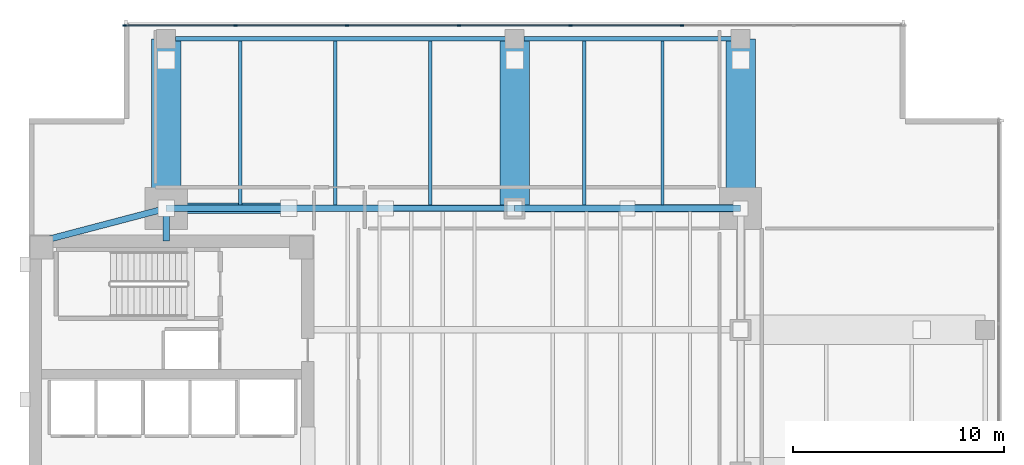
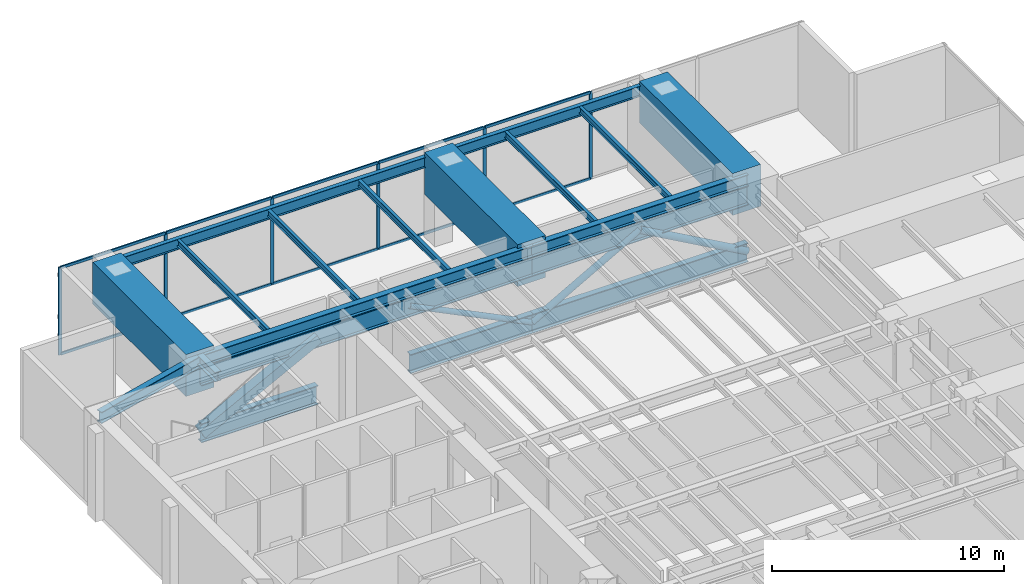
# One storey, part 5 of 14: 25 members, 14 beams, 1 element without a shape of its own.
"""IFC4 building model written with IfcOpenShell, lengths in metres."""

import ifcopenshell
import ifcopenshell.guid

model = None  # the IFC model being written
_history = None  # IfcOwnerHistory: only IFC2X3 demands one
_inside = {}  # id of a spatial element -> (the spatial element, [elements in it])
_under = {}  # id of a project, library or spatial element -> (it, [spatial elements below it])
_declared = {}  # id of a project -> (the project, [libraries it declares])
_typed = {}  # id of a type object -> (the type object, [elements of that type])
_made_of = {}  # id of a material, layer set ... -> (it, [elements and type objects made of it])


def new_model(schema):
    """Start an empty IFC model of exactly this schema.

    Asked for "IFC4X3", IfcOpenShell would pick the latest addendum, in which some entities
    have other attributes; the version numbers below select the first issue.
    IFC2X3 requires an IfcOwnerHistory on every rooted entity: one is made here for all.
    """
    global model, _history
    if schema == "IFC4X3":
        model = ifcopenshell.file(schema_version=(4, 3, 0, 0))
    else:
        model = ifcopenshell.file(schema=schema)
    _inside.clear()
    _under.clear()
    _declared.clear()
    _typed.clear()
    _made_of.clear()
    _history = None
    if model.schema == "IFC2X3":
        org = make("IfcOrganization", Name="unknown")
        user = make(
            "IfcPersonAndOrganization",
            ThePerson=make("IfcPerson", FamilyName="unknown"),
            TheOrganization=org,
        )
        app = make(
            "IfcApplication",
            ApplicationDeveloper=org,
            Version="unknown",
            ApplicationFullName="unknown",
            ApplicationIdentifier="unknown",
        )
        _history = make(
            "IfcOwnerHistory",
            OwningUser=user,
            OwningApplication=app,
            ChangeAction="ADDED",
            CreationDate=0,
        )
    return model


def make(cls, **values):
    """One entity of the class cls with the attributes given. An attribute that is None is left unset."""
    return model.create_entity(
        cls, **{name: value for name, value in values.items() if value is not None}
    )


def rooted(cls, **values):
    """An entity with a GlobalId (a new one), such as an element, a storey or a relation."""
    return make(cls, GlobalId=ifcopenshell.guid.new(), OwnerHistory=_history, **values)


def si_unit(unit_type, name, prefix=None):
    """IfcSIUnit, for example si_unit("LENGTHUNIT", "METRE", prefix="MILLI")."""
    return make("IfcSIUnit", UnitType=unit_type, Prefix=prefix, Name=name)


def assignment(units):
    """IfcUnitAssignment: the units of a project."""
    return None if units is None else make("IfcUnitAssignment", Units=units)


def point(xyz):
    """IfcCartesianPoint."""
    return None if xyz is None else make("IfcCartesianPoint", Coordinates=xyz)


def direction(xyz):
    """IfcDirection."""
    return None if xyz is None else make("IfcDirection", DirectionRatios=xyz)


def frame(location, z_axis=None, x_axis=None):
    """IfcAxis2Placement3D, a coordinate frame: its origin and axes. An axis left out is left unset."""
    return make(
        "IfcAxis2Placement3D",
        Location=point(location),
        Axis=direction(z_axis),
        RefDirection=direction(x_axis),
    )


def frame_2d(location, x_axis=None):
    """IfcAxis2Placement2D, a coordinate frame in the plane: its origin and x axis."""
    return make(
        "IfcAxis2Placement2D", Location=point(location), RefDirection=direction(x_axis)
    )


def origin():
    """The frame at (0, 0, 0) with its axes left unset."""
    return frame((0.0, 0.0, 0.0))


def origin_2d():
    """The frame at (0, 0) in the plane with its x axis left unset."""
    return frame_2d((0.0, 0.0))


def place(relative_to, where):
    """IfcLocalPlacement: puts the frame where relative to a parent placement (None: the world)."""
    return make(
        "IfcLocalPlacement", PlacementRelTo=relative_to, RelativePlacement=where
    )


def context(
    kind, dimensions, precision=None, world=None, true_north=None, identifier=None
):
    """IfcGeometricRepresentationContext, for example the 3D "Model" context."""
    return make(
        "IfcGeometricRepresentationContext",
        ContextIdentifier=identifier,
        ContextType=kind,
        CoordinateSpaceDimension=dimensions,
        Precision=precision,
        WorldCoordinateSystem=world,
        TrueNorth=true_north,
    )


def subcontext(parent, identifier, kind, view, scale=None):
    """IfcGeometricRepresentationSubContext, for example "Body" below "Model"."""
    return make(
        "IfcGeometricRepresentationSubContext",
        ContextIdentifier=identifier,
        ContextType=kind,
        ParentContext=parent,
        TargetScale=scale,
        TargetView=view,
    )


def project(units=None, contexts=None):
    """IfcProject with its units and contexts."""
    return rooted(
        "IfcProject",
        Name="project",
        RepresentationContexts=contexts,
        UnitsInContext=assignment(units),
    )


def spatial(cls, under=None, at=None, **own):
    """A site, building, storey or space (cls), placed at a placement, below another one or the project."""
    s = rooted(cls, ObjectPlacement=at, **own)
    if under is not None:
        _under.setdefault(under.id(), (under, []))[1].append(s)
    return s


def profile(cls, at=None, kind="AREA", **sizes):
    """A parametric profile (cls). Its sizes go by their IFC names, for example OverallWidth=200.0."""
    return make(cls, ProfileType=kind, Position=at, **sizes)


def rectangle(**sizes):
    """IfcRectangleProfileDef."""
    return profile("IfcRectangleProfileDef", **sizes)


def hollow_rectangle(**sizes):
    """IfcRectangleHollowProfileDef."""
    return profile("IfcRectangleHollowProfileDef", **sizes)


def hollow_circle(**sizes):
    """IfcCircleHollowProfileDef."""
    return profile("IfcCircleHollowProfileDef", **sizes)


def i_section(**sizes):
    """IfcIShapeProfileDef."""
    return profile("IfcIShapeProfileDef", **sizes)


def extrude(swept, where, along, depth):
    """IfcExtrudedAreaSolid: the profile swept, set in the frame where, extruded along a direction by depth."""
    return make(
        "IfcExtrudedAreaSolid",
        SweptArea=swept,
        Position=where,
        ExtrudedDirection=direction(along),
        Depth=depth,
    )


def shape(context_of_items, identifier, shape_type, items):
    """IfcShapeRepresentation: the items that make up one representation, for example the "Body"."""
    return make(
        "IfcShapeRepresentation",
        ContextOfItems=context_of_items,
        RepresentationIdentifier=identifier,
        RepresentationType=shape_type,
        Items=items,
    )


def material(Name=None, Category=None):
    """IfcMaterial."""
    return make("IfcMaterial", Name=Name, Category=Category)


def layer(
    of_material, thickness, ventilated=None, Name=None, Category=None, Priority=None
):
    """IfcMaterialLayer: one layer of a wall or slab, of a material (None: an air gap)."""
    return make(
        "IfcMaterialLayer",
        Material=of_material,
        LayerThickness=thickness,
        IsVentilated=ventilated,
        Name=Name,
        Category=Category,
        Priority=Priority,
    )


def layer_set(layers, Name=None):
    """IfcMaterialLayerSet."""
    return make("IfcMaterialLayerSet", MaterialLayers=layers, LayerSetName=Name)


def material_profile(
    of_material, cross_section, Name=None, Category=None, Priority=None
):
    """IfcMaterialProfile: a cross section and its material."""
    return make(
        "IfcMaterialProfile",
        Name=Name,
        Material=of_material,
        Profile=cross_section,
        Priority=Priority,
        Category=Category,
    )


def profile_set(profiles, Name=None, composite=None):
    """IfcMaterialProfileSet."""
    return make(
        "IfcMaterialProfileSet",
        Name=Name,
        MaterialProfiles=profiles,
        CompositeProfile=composite,
    )


def made_of(thing, what):
    """Note that an element or type object is made of a material, layer set ...; save() writes the relation."""
    if what is not None:
        _made_of.setdefault(what.id(), (what, []))[1].append(thing)
    return thing


def type_object(cls, material=None, **own):
    """A type object (cls), such as IfcWallType, which elements share."""
    return made_of(rooted(cls, **own), material)


def element(
    cls,
    number,
    at=None,
    inside=None,
    cuts=None,
    type_object=None,
    material=None,
    context=None,
    identifier="Body",
    shape_type=None,
    held_by="IfcProductDefinitionShape",
    body=None,
    shapes=None,
    **own,
):
    """One element of the class cls, such as IfcWall. Its Tag is "e" and its number.

    at: its placement. inside: the storey or other place that contains it. cuts: it is an
    opening in that element (IfcRelVoidsElement). A single representation is given by context,
    identifier, shape_type and body (its items); several are given by shapes. held_by: the class
    of the entity that holds the representations. save() writes the other relations.
    """
    e = rooted(cls, Tag="e%d" % number, ObjectPlacement=at, **own)
    if body is not None:
        shapes = [shape(context, identifier, shape_type, body)]
    if shapes is not None:
        e.Representation = make(held_by, Representations=shapes)
    if inside is not None:
        _inside.setdefault(inside.id(), (inside, []))[1].append(e)
    if cuts is not None:
        rooted(
            "IfcRelVoidsElement", RelatingBuildingElement=cuts, RelatedOpeningElement=e
        )
    if type_object is not None:
        _typed.setdefault(type_object.id(), (type_object, []))[1].append(e)
    return made_of(e, material)


def aggregate(whole, parts):
    """IfcRelAggregates: a whole, such as a stair, and the parts it consists of."""
    return rooted("IfcRelAggregates", RelatingObject=whole, RelatedObjects=parts)


def save(model, path):
    """Write the relations noted so far, then the file.

    IfcRelAggregates (storeys below a building ...), IfcRelContainedInSpatialStructure (elements
    in a storey), IfcRelDefinesByType, IfcRelAssociatesMaterial and IfcRelDeclares: one each for
    every whole, place, type object, material and project.
    """
    for whole, parts in _under.values():
        aggregate(whole, parts)
    for where, things in _inside.values():
        rooted(
            "IfcRelContainedInSpatialStructure",
            RelatedElements=things,
            RelatingStructure=where,
        )
    for kind, things in _typed.values():
        rooted("IfcRelDefinesByType", RelatedObjects=things, RelatingType=kind)
    for what, things in _made_of.values():
        rooted("IfcRelAssociatesMaterial", RelatedObjects=things, RelatingMaterial=what)
    for by, libraries in _declared.values():
        rooted("IfcRelDeclares", RelatingContext=by, RelatedDefinitions=libraries)
    model.write(path)


model = new_model("IFC4")

# Units and contexts
model_context = context("Model", 3, precision=1e-05, world=origin(), true_north=direction((0.0, 1.0)))
body_context = subcontext(model_context, "Body", "Model", "MODEL_VIEW")
ifc_project = project(units=[si_unit("LENGTHUNIT", "METRE"), si_unit("AREAUNIT", "SQUARE_METRE"), si_unit("VOLUMEUNIT", "CUBIC_METRE"), si_unit("PLANEANGLEUNIT", "RADIAN"), si_unit("MASSUNIT", "GRAM", prefix="KILO")], contexts=[model_context])

# Site, building, storey
site_placement = place(None, origin())
site = spatial("IfcSite", under=ifc_project, at=site_placement, CompositionType="ELEMENT")
building_placement = place(site_placement, origin())
building = spatial("IfcBuilding", under=site, at=building_placement, Name="Kinhvarn Gate Tower", CompositionType="ELEMENT")
storey_placement = place(building_placement, frame((0.0, 0.0, 173.25)))
storey = spatial("IfcBuildingStorey", under=building, at=storey_placement, Name="L46", CompositionType="ELEMENT", Elevation=173.25)

# Beams
ifc_material_1 = material(Name="Concrete C60/75", Category="concrete")
ifc_material_profile_1 = material_profile(ifc_material_1, rectangle(XDim=1.39990234375, YDim=2.199951171875, at=origin_2d()), Name="RC 1400x2200")
ifc_profile_set_1 = profile_set([ifc_material_profile_1], Name="Concrete C60/75")
beam_type_1 = type_object("IfcBeamType", Name="BM-TG-2200", PredefinedType="BEAM", material=ifc_profile_set_1)
for number, where, z_axis, x_axis, name in (
    (1, (11.0, 37.75, 3.699951171875), (0.0, 1.0, 0.0), (-1.0, 0.0, 0.0), "Setback Transfer Girder TG-02-L47-CN-0"),
    (2, (27.5, 37.75, 3.699951171875), (0.0, 1.0, 0.0), (-1.0, 0.0, 0.0), "Setback Transfer Girder TG-02-L47-CN-1"),
    (3, (38.199951171875, 37.75, 3.699951171875), (0.0, 1.0, 0.0), (-1.0, 0.0, 0.0), "Setback Transfer Girder TG-02-L47-CN-2"),
):
    element("IfcBeam", number, at=place(storey_placement, frame(where, z_axis=z_axis, x_axis=x_axis)), inside=storey, type_object=beam_type_1, Name=name, PredefinedType="BEAM", context=body_context, shape_type="SweptSolid", body=[
        extrude(rectangle(XDim=1.39990234375, YDim=2.199951171875, at=origin_2d()), origin(), (0.0, 0.0, 1.0), 8.030029296875),
    ])

# Curtain wall, members
ifc_material_2 = material(Name="Anodised aluminium AW-6063", Category="aluminium")
ifc_layer = layer(ifc_material_2, 0.179931640625)
ifc_layer_set = layer_set([ifc_layer], Name="Anodised aluminium AW-6063")
curtain_wall_type = type_object("IfcCurtainWallType", Name="CW-SYS-3", PredefinedType="NOTDEFINED", material=ifc_layer_set)
curtain_wall_placement = place(storey_placement, origin())
curtain_wall = element("IfcCurtainWall", 4, at=curtain_wall_placement, inside=storey, type_object=curtain_wall_type, Name="Curtain Wall CW3 (L46)", PredefinedType="NOTDEFINED")
ifc_material_profile_2 = material_profile(ifc_material_2, rectangle(XDim=0.06494140625, YDim=0.159912109375, at=origin_2d()), Name="ALU 65x160")
ifc_profile_set_2 = profile_set([ifc_material_profile_2], Name="Anodised aluminium AW-6063")
member_type_1 = type_object("IfcMemberType", Name="CW-MUL-160", PredefinedType="MULLION", material=ifc_profile_set_2)
member_1_placement = place(storey_placement, frame((35.428466796875, 46.409912109375, 0.0), z_axis=(0.0, 0.0, 1.0), x_axis=(0.0, -1.0, 0.0)))
member_1 = element("IfcMember", 5, at=member_1_placement, type_object=member_type_1, Name="CW3 mullion 3", PredefinedType="MULLION", context=body_context, shape_type="SweptSolid", body=[
    extrude(rectangle(XDim=0.06494140625, YDim=0.159912109375, at=origin_2d()), origin(), (0.0, 0.0, 1.0), 4.60009765625),
])
member_2_placement = place(storey_placement, frame((30.142822265625, 46.409912109375, 0.0), z_axis=(0.0, 0.0, 1.0), x_axis=(0.0, -1.0, 0.0)))
member_2 = element("IfcMember", 6, at=member_2_placement, type_object=member_type_1, Name="CW3 mullion 4", PredefinedType="MULLION", context=body_context, shape_type="SweptSolid", body=[
    extrude(rectangle(XDim=0.06494140625, YDim=0.159912109375, at=origin_2d()), origin(), (0.0, 0.0, 1.0), 4.60009765625),
])
member_3_placement = place(storey_placement, frame((24.857177734375, 46.409912109375, 0.0), z_axis=(0.0, 0.0, 1.0), x_axis=(0.0, -1.0, 0.0)))
member_3 = element("IfcMember", 7, at=member_3_placement, type_object=member_type_1, Name="CW3 mullion 5", PredefinedType="MULLION", context=body_context, shape_type="SweptSolid", body=[
    extrude(rectangle(XDim=0.06494140625, YDim=0.159912109375, at=origin_2d()), origin(), (0.0, 0.0, 1.0), 4.60009765625),
])
member_4_placement = place(storey_placement, frame((19.571533203125, 46.409912109375, 0.0), z_axis=(0.0, 0.0, 1.0), x_axis=(0.0, -1.0, 0.0)))
member_4 = element("IfcMember", 8, at=member_4_placement, type_object=member_type_1, Name="CW3 mullion 6", PredefinedType="MULLION", context=body_context, shape_type="SweptSolid", body=[
    extrude(rectangle(XDim=0.06494140625, YDim=0.159912109375, at=origin_2d()), origin(), (0.0, 0.0, 1.0), 4.60009765625),
])
member_5_placement = place(storey_placement, frame((14.28564453125, 46.409912109375, 0.0), z_axis=(0.0, 0.0, 1.0), x_axis=(0.0, -1.0, 0.0)))
member_5 = element("IfcMember", 9, at=member_5_placement, type_object=member_type_1, Name="CW3 mullion 7", PredefinedType="MULLION", context=body_context, shape_type="SweptSolid", body=[
    extrude(rectangle(XDim=0.06494140625, YDim=0.159912109375, at=origin_2d()), origin(), (0.0, 0.0, 1.0), 4.60009765625),
])
member_6_placement = place(storey_placement, frame((9.032470703125, 46.409912109375, 0.0), z_axis=(0.0, 0.0, 1.0), x_axis=(0.0, -1.0, 0.0)))
member_6 = element("IfcMember", 10, at=member_6_placement, type_object=member_type_1, Name="CW3 mullion 8", PredefinedType="MULLION", context=body_context, shape_type="SweptSolid", body=[
    extrude(rectangle(XDim=0.06494140625, YDim=0.159912109375, at=origin_2d()), origin(), (0.0, 0.0, 1.0), 4.60009765625),
])
ifc_material_profile_3 = material_profile(ifc_material_2, rectangle(XDim=0.070068359375, YDim=0.139892578125, at=origin_2d()), Name="ALU 70x140")
ifc_profile_set_3 = profile_set([ifc_material_profile_3], Name="Anodised aluminium AW-6063")
member_type_2 = type_object("IfcMemberType", Name="CW-TRN-140", PredefinedType="USERDEFINED", material=ifc_profile_set_3)
member_7_placement = place(storey_placement, frame((35.39599609375, 46.409912109375, 0.034912109375), z_axis=(-1.0, 0.0, 0.0), x_axis=(0.0, -1.0, 0.0)))
member_7 = element("IfcMember", 11, at=member_7_placement, type_object=member_type_2, Name="CW3 transom 3.1", ObjectType="TRANSOM", PredefinedType="USERDEFINED", context=body_context, shape_type="SweptSolid", body=[
    extrude(rectangle(XDim=0.070068359375, YDim=0.139892578125, at=origin_2d()), origin(), (0.0, 0.0, 1.0), 5.220703125),
])
member_8_placement = place(storey_placement, frame((35.39599609375, 46.409912109375, 4.56494140625), z_axis=(-1.0, 0.0, 0.0), x_axis=(0.0, -1.0, 0.0)))
member_8 = element("IfcMember", 12, at=member_8_placement, type_object=member_type_2, Name="CW3 transom 3.2", ObjectType="TRANSOM", PredefinedType="USERDEFINED", context=body_context, shape_type="SweptSolid", body=[
    extrude(rectangle(XDim=0.070068359375, YDim=0.139892578125, at=origin_2d()), origin(), (0.0, 0.0, 1.0), 5.220703125),
])
member_9_placement = place(storey_placement, frame((30.1103515625, 46.409912109375, 0.034912109375), z_axis=(-1.0, 0.0, 0.0), x_axis=(0.0, -1.0, 0.0)))
member_9 = element("IfcMember", 13, at=member_9_placement, type_object=member_type_2, Name="CW3 transom 4.1", ObjectType="TRANSOM", PredefinedType="USERDEFINED", context=body_context, shape_type="SweptSolid", body=[
    extrude(rectangle(XDim=0.070068359375, YDim=0.139892578125, at=origin_2d()), origin(), (0.0, 0.0, 1.0), 5.220703125),
])
member_10_placement = place(storey_placement, frame((30.1103515625, 46.409912109375, 4.56494140625), z_axis=(-1.0, 0.0, 0.0), x_axis=(0.0, -1.0, 0.0)))
member_10 = element("IfcMember", 14, at=member_10_placement, type_object=member_type_2, Name="CW3 transom 4.2", ObjectType="TRANSOM", PredefinedType="USERDEFINED", context=body_context, shape_type="SweptSolid", body=[
    extrude(rectangle(XDim=0.070068359375, YDim=0.139892578125, at=origin_2d()), origin(), (0.0, 0.0, 1.0), 5.220703125),
])
member_11_placement = place(storey_placement, frame((24.82470703125, 46.409912109375, 0.034912109375), z_axis=(-1.0, 0.0, 0.0), x_axis=(0.0, -1.0, 0.0)))
member_11 = element("IfcMember", 15, at=member_11_placement, type_object=member_type_2, Name="CW3 transom 5.1", ObjectType="TRANSOM", PredefinedType="USERDEFINED", context=body_context, shape_type="SweptSolid", body=[
    extrude(rectangle(XDim=0.070068359375, YDim=0.139892578125, at=origin_2d()), origin(), (0.0, 0.0, 1.0), 5.220703125),
])
member_12_placement = place(storey_placement, frame((24.82470703125, 46.409912109375, 4.56494140625), z_axis=(-1.0, 0.0, 0.0), x_axis=(0.0, -1.0, 0.0)))
member_12 = element("IfcMember", 16, at=member_12_placement, type_object=member_type_2, Name="CW3 transom 5.2", ObjectType="TRANSOM", PredefinedType="USERDEFINED", context=body_context, shape_type="SweptSolid", body=[
    extrude(rectangle(XDim=0.070068359375, YDim=0.139892578125, at=origin_2d()), origin(), (0.0, 0.0, 1.0), 5.220703125),
])
member_13_placement = place(storey_placement, frame((19.538818359375, 46.409912109375, 0.034912109375), z_axis=(-1.0, 0.0, 0.0), x_axis=(0.0, -1.0, 0.0)))
member_13 = element("IfcMember", 17, at=member_13_placement, type_object=member_type_2, Name="CW3 transom 6.1", ObjectType="TRANSOM", PredefinedType="USERDEFINED", context=body_context, shape_type="SweptSolid", body=[
    extrude(rectangle(XDim=0.070068359375, YDim=0.139892578125, at=origin_2d()), origin(), (0.0, 0.0, 1.0), 5.220703125),
])
member_14_placement = place(storey_placement, frame((19.538818359375, 46.409912109375, 4.56494140625), z_axis=(-1.0, 0.0, 0.0), x_axis=(0.0, -1.0, 0.0)))
member_14 = element("IfcMember", 18, at=member_14_placement, type_object=member_type_2, Name="CW3 transom 6.2", ObjectType="TRANSOM", PredefinedType="USERDEFINED", context=body_context, shape_type="SweptSolid", body=[
    extrude(rectangle(XDim=0.070068359375, YDim=0.139892578125, at=origin_2d()), origin(), (0.0, 0.0, 1.0), 5.220703125),
])
member_15_placement = place(storey_placement, frame((14.253173828125, 46.409912109375, 0.034912109375), z_axis=(-1.0, 0.0, 0.0), x_axis=(0.0, -1.0, 0.0)))
member_15 = element("IfcMember", 19, at=member_15_placement, type_object=member_type_2, Name="CW3 transom 7.1", ObjectType="TRANSOM", PredefinedType="USERDEFINED", context=body_context, shape_type="SweptSolid", body=[
    extrude(rectangle(XDim=0.070068359375, YDim=0.139892578125, at=origin_2d()), origin(), (0.0, 0.0, 1.0), 5.188232421875),
])
member_16_placement = place(storey_placement, frame((14.253173828125, 46.409912109375, 4.56494140625), z_axis=(-1.0, 0.0, 0.0), x_axis=(0.0, -1.0, 0.0)))
member_16 = element("IfcMember", 20, at=member_16_placement, type_object=member_type_2, Name="CW3 transom 7.2", ObjectType="TRANSOM", PredefinedType="USERDEFINED", context=body_context, shape_type="SweptSolid", body=[
    extrude(rectangle(XDim=0.070068359375, YDim=0.139892578125, at=origin_2d()), origin(), (0.0, 0.0, 1.0), 5.188232421875),
])
aggregate(curtain_wall, [member_1, member_2, member_3, member_4, member_5, member_6, member_7, member_8, member_9, member_10, member_11, member_12, member_13, member_14, member_15, member_16])

# Members
ifc_material_3 = material(Name="Steel S355", Category="steel")
ifc_material_profile_4 = material_profile(ifc_material_3, hollow_circle(Radius=0.136474609375, WallThickness=0.011962890625, at=origin_2d()), Name="CHS 273x12")
ifc_profile_set_4 = profile_set([ifc_material_profile_4], Name="Steel S355")
member_type_3 = type_object("IfcMemberType", Name="MBR-CHS273x12", PredefinedType="BRACE", material=ifc_profile_set_4)
member_17_placement = place(storey_placement, frame((21.39990234375, 37.75, 3.5), z_axis=(0.897352764008, 0.0, -0.441313966386), x_axis=(0.0, 1.0, 0.0)))
element("IfcMember", 21, at=member_17_placement, inside=storey, type_object=member_type_3, Name="Outrigger Truss Diagonal BR-11 (CHS 273x12)", PredefinedType="BRACE", context=body_context, shape_type="SweptSolid", body=[
    extrude(hollow_circle(Radius=0.136474609375, WallThickness=0.011962890625, at=origin_2d()), origin(), (0.0, 0.0, 1.0), 6.7978515625),
])
ifc_material_profile_5 = material_profile(ifc_material_3, hollow_circle(Radius=0.161865234375, WallThickness=0.01611328125, at=origin_2d()), Name="CHS 323.9x16")
ifc_profile_set_5 = profile_set([ifc_material_profile_5], Name="Steel S355")
member_type_4 = type_object("IfcMemberType", Name="MBR-CHS323_9x16", PredefinedType="BRACE", material=ifc_profile_set_5)
member_18_placement = place(storey_placement, frame((27.5, 37.75, 0.5), z_axis=(0.872231672877, 0.0, 0.489092944981), x_axis=(0.0, 1.0, 0.0)))
element("IfcMember", 22, at=member_18_placement, inside=storey, type_object=member_type_4, Name="Outrigger Truss Diagonal BR-12 (CHS 323.9x16)", PredefinedType="BRACE", context=body_context, shape_type="SweptSolid", body=[
    extrude(hollow_circle(Radius=0.161865234375, WallThickness=0.01611328125, at=origin_2d()), origin(), (0.0, 0.0, 1.0), 6.1337890625),
])
ifc_material_profile_6 = material_profile(ifc_material_3, hollow_circle(Radius=0.177734375, WallThickness=0.01611328125, at=origin_2d()), Name="CHS 355.6x16")
ifc_profile_set_6 = profile_set([ifc_material_profile_6], Name="Steel S355")
member_type_5 = type_object("IfcMemberType", Name="MBR-CHS355_6x16", PredefinedType="STRUT", material=ifc_profile_set_6)
member_19_placement = place(storey_placement, frame((32.85009765625, 37.75, 3.5), z_axis=(0.872222151153, 0.0, -0.489109925312), x_axis=(0.0, 1.0, 0.0)))
element("IfcMember", 23, at=member_19_placement, inside=storey, type_object=member_type_5, Name="Outrigger Truss Diagonal SR-13 (CHS 355.6x16)", PredefinedType="STRUT", context=body_context, shape_type="SweptSolid", body=[
    extrude(hollow_circle(Radius=0.177734375, WallThickness=0.01611328125, at=origin_2d()), origin(), (0.0, 0.0, 1.0), 6.133544921875),
])
ifc_material_profile_7 = material_profile(ifc_material_3, hollow_rectangle(XDim=0.5, YDim=0.5, WallThickness=0.02490234375, at=origin_2d()), Name="SHS 500x500x25")
ifc_profile_set_7 = profile_set([ifc_material_profile_7], Name="Steel S355")
member_type_6 = type_object("IfcMemberType", Name="MBR-SHS500x500x25", PredefinedType="BRACE", material=ifc_profile_set_7)
member_20_placement = place(storey_placement, frame((11.0, 37.75, 0.5), z_axis=(0.88821922143, 0.0, 0.459419867531), x_axis=(0.0, 1.0, 0.0)))
element("IfcMember", 24, at=member_20_placement, inside=storey, type_object=member_type_6, Name="Outrigger Truss Diagonal BR-10 (SHS 500x500x25)", PredefinedType="BRACE", context=body_context, shape_type="SweptSolid", body=[
    extrude(hollow_rectangle(XDim=0.5, YDim=0.5, WallThickness=0.02490234375, at=origin_2d()), origin(), (0.0, 0.0, 1.0), 6.530029296875),
])
ifc_material_profile_8 = material_profile(ifc_material_3, i_section(OverallWidth=0.300048828125, OverallDepth=1.0, WebThickness=0.01904296875, FlangeThickness=0.035888671875, at=origin_2d()), Name="HEB 1000")
ifc_profile_set_8 = profile_set([ifc_material_profile_8], Name="Steel S355")
member_type_7 = type_object("IfcMemberType", Name="STL-HEB1000", PredefinedType="CHORD", material=ifc_profile_set_8)
member_21_placement = place(storey_placement, frame((11.0, 37.75, 0.5), z_axis=(1.0, 0.0, 0.0), x_axis=(0.0, 1.0, 0.0)))
element("IfcMember", 25, at=member_21_placement, inside=storey, type_object=member_type_7, Name="Outrigger Belt Chord BC-21 (L46 OUT-N1A-BOT)", PredefinedType="CHORD", context=body_context, shape_type="SweptSolid", body=[
    extrude(i_section(OverallWidth=0.300048828125, OverallDepth=1.0, WebThickness=0.01904296875, FlangeThickness=0.035888671875, at=origin_2d()), origin(), (0.0, 0.0, 1.0), 5.800048828125),
])
member_22_placement = place(storey_placement, frame((21.39990234375, 37.75, 0.5), z_axis=(1.0, 0.0, 0.0), x_axis=(0.0, 1.0, 0.0)))
element("IfcMember", 26, at=member_22_placement, inside=storey, type_object=member_type_7, Name="Outrigger Belt Chord BC-21 (L46 OUT-N1B-BOT)", PredefinedType="CHORD", context=body_context, shape_type="SweptSolid", body=[
    extrude(i_section(OverallWidth=0.300048828125, OverallDepth=1.0, WebThickness=0.01904296875, FlangeThickness=0.035888671875, at=origin_2d()), origin(), (0.0, 0.0, 1.0), 6.10009765625),
])
member_23_placement = place(storey_placement, frame((27.5, 37.75, 0.5), z_axis=(1.0, 0.0, 0.0), x_axis=(0.0, 1.0, 0.0)))
element("IfcMember", 27, at=member_23_placement, inside=storey, type_object=member_type_7, Name="Outrigger Belt Chord BC-21 (L46 OUT-N2-BOT)", PredefinedType="CHORD", context=body_context, shape_type="SweptSolid", body=[
    extrude(i_section(OverallWidth=0.300048828125, OverallDepth=1.0, WebThickness=0.01904296875, FlangeThickness=0.035888671875, at=origin_2d()), origin(), (0.0, 0.0, 1.0), 10.699951171875),
])
member_24_placement = place(storey_placement, frame((11.0, 37.75, 3.5), z_axis=(1.0, 0.0, 0.0), x_axis=(0.0, 1.0, 0.0)))
element("IfcMember", 28, at=member_24_placement, inside=storey, type_object=member_type_7, Name="Outrigger Belt Chord BC-21 (L46 OUT-N1-TOP)", PredefinedType="CHORD", context=body_context, shape_type="SweptSolid", body=[
    extrude(i_section(OverallWidth=0.300048828125, OverallDepth=1.0, WebThickness=0.01904296875, FlangeThickness=0.035888671875, at=origin_2d()), origin(), (0.0, 0.0, 1.0), 16.5),
])
member_25_placement = place(storey_placement, frame((27.5, 37.75, 3.5), z_axis=(1.0, 0.0, 0.0), x_axis=(0.0, 1.0, 0.0)))
element("IfcMember", 29, at=member_25_placement, inside=storey, type_object=member_type_7, Name="Outrigger Belt Chord BC-21 (L46 OUT-N2-TOP)", PredefinedType="CHORD", context=body_context, shape_type="SweptSolid", body=[
    extrude(i_section(OverallWidth=0.300048828125, OverallDepth=1.0, WebThickness=0.01904296875, FlangeThickness=0.035888671875, at=origin_2d()), origin(), (0.0, 0.0, 1.0), 10.699951171875),
])

# Beams
ifc_material_profile_9 = material_profile(ifc_material_3, i_section(OverallWidth=0.300048828125, OverallDepth=0.5, WebThickness=0.014404296875, FlangeThickness=0.028076171875, at=origin_2d()), Name="HEB 500")
ifc_profile_set_9 = profile_set([ifc_material_profile_9], Name="Steel S355")
beam_type_2 = type_object("IfcBeamType", Name="STL-HEB500", PredefinedType="BEAM", material=ifc_profile_set_9)
beam_1_placement = place(storey_placement, frame((11.0, 36.199951171875, 4.35009765625), z_axis=(0.0, 1.0, 0.0), x_axis=(-1.0, 0.0, 0.0)))
element("IfcBeam", 30, at=beam_1_placement, inside=storey, type_object=beam_type_2, Name="Floor Beam PG-14 (L46 MCW-CN)", PredefinedType="BEAM", context=body_context, shape_type="SweptSolid", body=[
    extrude(i_section(OverallWidth=0.300048828125, OverallDepth=0.5, WebThickness=0.014404296875, FlangeThickness=0.028076171875, at=origin_2d()), origin(), (0.0, 0.0, 1.0), 1.550048828125),
])
ifc_material_profile_10 = material_profile(ifc_material_3, i_section(OverallWidth=0.300048828125, OverallDepth=0.60009765625, WebThickness=0.015380859375, FlangeThickness=0.030029296875, at=origin_2d()), Name="HEB 600")
ifc_profile_set_10 = profile_set([ifc_material_profile_10], Name="Steel S355")
beam_type_3 = type_object("IfcBeamType", Name="STL-HEB600", PredefinedType="BEAM", material=ifc_profile_set_10)
beam_2_placement = place(storey_placement, frame((11.0, 37.75, 4.300048828125), z_axis=(1.0, 0.0, 0.0), x_axis=(0.0, 1.0, 0.0)))
element("IfcBeam", 31, at=beam_2_placement, inside=storey, type_object=beam_type_3, Name="Floor Beam PG-16 (L46 MG-N1)", PredefinedType="BEAM", context=body_context, shape_type="SweptSolid", body=[
    extrude(i_section(OverallWidth=0.300048828125, OverallDepth=0.60009765625, WebThickness=0.015380859375, FlangeThickness=0.030029296875, at=origin_2d()), origin(), (0.0, 0.0, 1.0), 16.5),
])
beam_3_placement = place(storey_placement, frame((27.5, 37.75, 4.300048828125), z_axis=(1.0, 0.0, 0.0), x_axis=(0.0, 1.0, 0.0)))
element("IfcBeam", 32, at=beam_3_placement, inside=storey, type_object=beam_type_3, Name="Floor Beam PG-16 (L46 MG-N2)", PredefinedType="BEAM", context=body_context, shape_type="SweptSolid", body=[
    extrude(i_section(OverallWidth=0.300048828125, OverallDepth=0.60009765625, WebThickness=0.015380859375, FlangeThickness=0.030029296875, at=origin_2d()), origin(), (0.0, 0.0, 1.0), 10.699951171875),
])
beam_4_placement = place(storey_placement, frame((5.10009765625, 36.199951171875, 4.300048828125), z_axis=(0.967177623957, 0.254101246979, 0.0), x_axis=(-0.254101246979, 0.967177623957, 0.0)))
element("IfcBeam", 33, at=beam_4_placement, inside=storey, type_object=beam_type_3, Name="Floor Beam PG-16 (L46 MG-NW-DIAG)", PredefinedType="BEAM", context=body_context, shape_type="SweptSolid", body=[
    extrude(i_section(OverallWidth=0.300048828125, OverallDepth=0.60009765625, WebThickness=0.015380859375, FlangeThickness=0.030029296875, at=origin_2d()), origin(), (0.0, 0.0, 1.0), 6.10009765625),
])
ifc_material_profile_11 = material_profile(ifc_material_3, i_section(OverallWidth=0.159912109375, OverallDepth=0.330078125, WebThickness=0.007568359375, FlangeThickness=0.011474609375, at=origin_2d()), Name="IPE 330")
ifc_profile_set_11 = profile_set([ifc_material_profile_11], Name="Steel S355")
beam_type_4 = type_object("IfcBeamType", Name="STL-IPE330", PredefinedType="JOIST", material=ifc_profile_set_11)
for number, where, z_axis, x_axis, name in (
    (34, (14.5, 37.89990234375, 4.43505859375), (0.0, 1.0, 0.0), (-1.0, 0.0, 0.0), "Floor Joist SB-03 (L46 JN-X145)"),
    (35, (19.0, 37.89990234375, 4.43505859375), (0.0, 1.0, 0.0), (-1.0, 0.0, 0.0), "Floor Joist SB-03 (L46 JN-X190)"),
    (36, (23.5, 37.89990234375, 4.43505859375), (0.0, 1.0, 0.0), (-1.0, 0.0, 0.0), "Floor Joist SB-03 (L46 JN-X235)"),
    (37, (30.800048828125, 37.89990234375, 4.43505859375), (0.0, 1.0, 0.0), (-1.0, 0.0, 0.0), "Floor Joist SB-03 (L46 JN-X308)"),
    (38, (34.5, 37.89990234375, 4.43505859375), (0.0, 1.0, 0.0), (-1.0, 0.0, 0.0), "Floor Joist SB-03 (L46 JN-X345)"),
):
    element("IfcBeam", number, at=place(storey_placement, frame(where, z_axis=z_axis, x_axis=x_axis)), inside=storey, type_object=beam_type_4, Name=name, PredefinedType="JOIST", context=body_context, shape_type="SweptSolid", body=[
        extrude(i_section(OverallWidth=0.159912109375, OverallDepth=0.330078125, WebThickness=0.007568359375, FlangeThickness=0.011474609375, at=origin_2d()), origin(), (0.0, 0.0, 1.0), 7.775146484375),
    ])
ifc_material_profile_12 = material_profile(ifc_material_3, i_section(OverallWidth=0.2099609375, OverallDepth=0.550048828125, WebThickness=0.010986328125, FlangeThickness=0.01708984375, at=origin_2d()), Name="IPE 550")
ifc_profile_set_12 = profile_set([ifc_material_profile_12], Name="Steel S355")
beam_type_5 = type_object("IfcBeamType", Name="STL-IPE550", PredefinedType="SPANDREL", material=ifc_profile_set_12)
beam_5_placement = place(storey_placement, frame((11.43505859375, 45.780029296875, 4.324951171875), z_axis=(1.0, 0.0, 0.0), x_axis=(0.0, 1.0, 0.0)))
element("IfcBeam", 39, at=beam_5_placement, inside=storey, type_object=beam_type_5, Name="Floor Spandrel SB-08 (L46 SP-N1)", PredefinedType="SPANDREL", context=body_context, shape_type="SweptSolid", body=[
    extrude(i_section(OverallWidth=0.2099609375, OverallDepth=0.550048828125, WebThickness=0.010986328125, FlangeThickness=0.01708984375, at=origin_2d()), origin(), (0.0, 0.0, 1.0), 15.6298828125),
])
beam_6_placement = place(storey_placement, frame((27.93505859375, 45.780029296875, 4.324951171875), z_axis=(1.0, 0.0, 0.0), x_axis=(0.0, 1.0, 0.0)))
element("IfcBeam", 40, at=beam_6_placement, inside=storey, type_object=beam_type_5, Name="Floor Spandrel SB-08 (L46 SP-N2)", PredefinedType="SPANDREL", context=body_context, shape_type="SweptSolid", body=[
    extrude(i_section(OverallWidth=0.2099609375, OverallDepth=0.550048828125, WebThickness=0.010986328125, FlangeThickness=0.01708984375, at=origin_2d()), origin(), (0.0, 0.0, 1.0), 9.829833984375),
])

save(model, "model.ifc")
